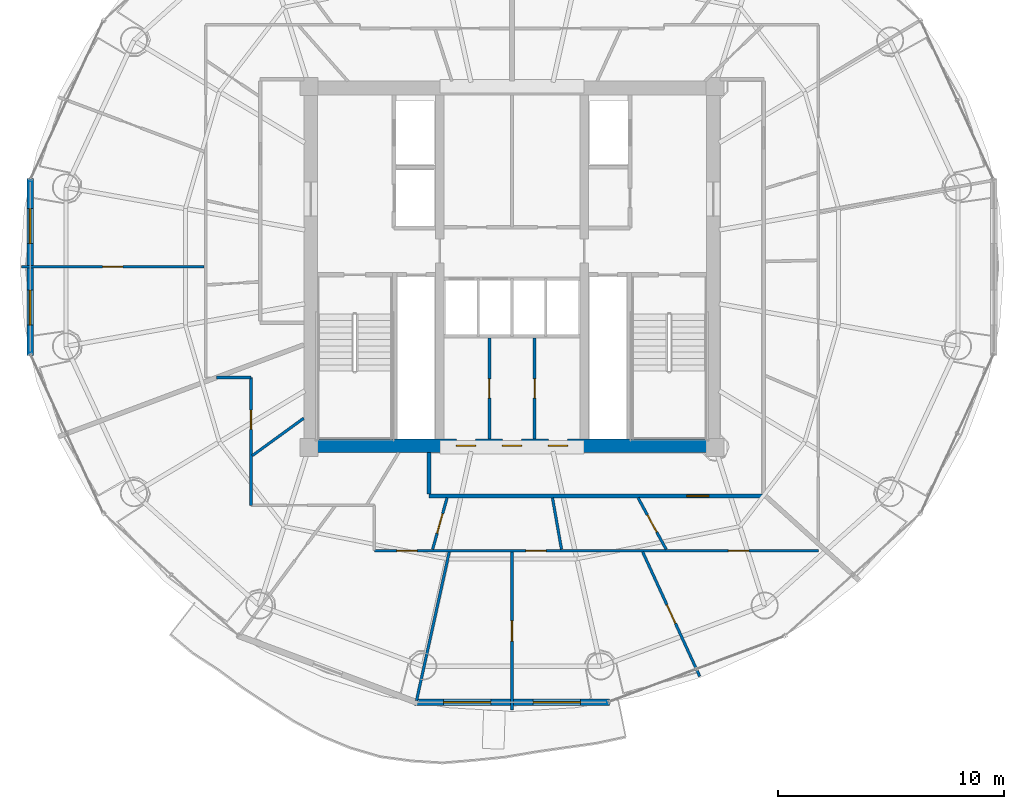
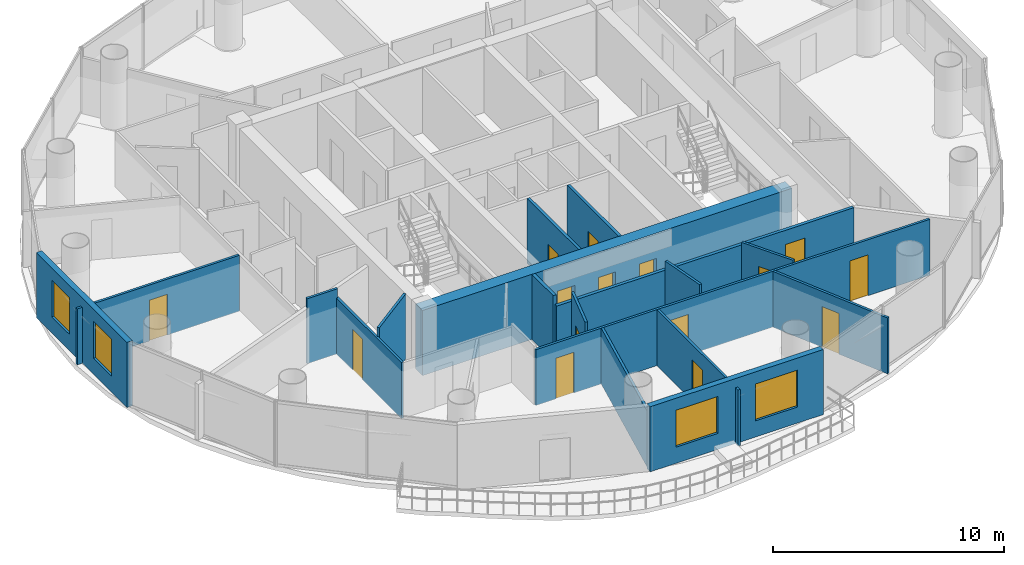
# One storey, part 20 of 26: 18 walls, 15 doors, 4 windows, 19 openings.
"""IFC4 building model written with IfcOpenShell, lengths in metres."""

from ifc_helpers import new_model, si_unit, direction, frame, frame_2d, origin, place, context, subcontext, project, spatial, rectangle, extrude, source, transform, mapped, material, layer, layer_set, type_object, element, fill, save


model = new_model("IFC4")

# Units and contexts
model_context = context("Model", 3, precision=1e-05, world=origin(), true_north=direction((-0.2419218956, 0.970295726276)))
body_context = subcontext(model_context, "Body", "Model", "MODEL_VIEW")
ifc_project = project(units=[si_unit("LENGTHUNIT", "METRE"), si_unit("AREAUNIT", "SQUARE_METRE"), si_unit("VOLUMEUNIT", "CUBIC_METRE"), si_unit("PLANEANGLEUNIT", "RADIAN"), si_unit("MASSUNIT", "GRAM", prefix="KILO")], contexts=[model_context])

# Site, building, storey
site_placement = place(None, origin())
site = spatial("IfcSite", under=ifc_project, at=site_placement, CompositionType="ELEMENT")
building_placement = place(site_placement, origin())
building = spatial("IfcBuilding", under=site, at=building_placement, Name="Cobrevalo Terracotta Tower", CompositionType="ELEMENT")
storey_placement = place(building_placement, frame((0.0, 0.0, 206.0)))
storey = spatial("IfcBuildingStorey", under=building, at=storey_placement, Name="L54", CompositionType="ELEMENT", Elevation=206.0)

# Wall, openings, doors
ifc_material_1 = material(Name="Concrete C55", Category="concrete")
ifc_layer_1 = layer(ifc_material_1, 0.60009765625)
ifc_layer_set_1 = layer_set([ifc_layer_1], Name="Concrete C55")
wall_type_1 = type_object("IfcWallType", Name="Core shear wall 600 mm Concrete C55", PredefinedType="SHEAR", material=ifc_layer_set_1)
wall_1_placement = place(storey_placement, frame((28.77490234375, 18.875, 0.0), z_axis=(0.0, 0.0, 1.0), x_axis=(1.0, 0.0, 0.0)))
wall_1 = element("IfcWall", 1, at=wall_1_placement, inside=storey, type_object=wall_type_1, Name="L54 south core shear wall", PredefinedType="SHEAR", context=body_context, shape_type="SweptSolid", body=[
    extrude(rectangle(XDim=18.4501953125, YDim=0.60009765625, at=frame_2d((9.22509765625, 0.0))), origin(), (0.0, 0.0, 1.0), 3.43505859375),
])
opening_1_placement = place(wall_1_placement, frame((6.760009765625, 0.0, 0.0)))
opening_1 = element("IfcOpeningElement", 2, at=opening_1_placement, cuts=wall_1, Name="Opening ID-22", PredefinedType="OPENING", context=body_context, shape_type="SweptSolid", body=[
    extrude(rectangle(XDim=0.85009765625, YDim=2.10009765625, at=frame_2d((0.425048828125, 1.050048828125))), frame((0.0, 0.31005859375, 0.0), z_axis=(0.0, -1.0, 0.0), x_axis=(1.0, 0.0, 0.0)), (0.0, 0.0, 1.0), 0.6201171875),
])
opening_2_placement = place(wall_1_placement, frame((8.800048828125, 0.0, 0.0)))
opening_2 = element("IfcOpeningElement", 3, at=opening_2_placement, cuts=wall_1, Name="Opening ID-22", PredefinedType="OPENING", context=body_context, shape_type="SweptSolid", body=[
    extrude(rectangle(XDim=0.85009765625, YDim=2.10009765625, at=frame_2d((0.425048828125, 1.050048828125))), frame((0.0, 0.31005859375, 0.0), z_axis=(0.0, -1.0, 0.0), x_axis=(1.0, 0.0, 0.0)), (0.0, 0.0, 1.0), 0.6201171875),
])
opening_3_placement = place(wall_1_placement, frame((10.840087890625, 0.0, 0.0)))
opening_3 = element("IfcOpeningElement", 4, at=opening_3_placement, cuts=wall_1, Name="Opening ID-22", PredefinedType="OPENING", context=body_context, shape_type="SweptSolid", body=[
    extrude(rectangle(XDim=0.85009765625, YDim=2.10009765625, at=frame_2d((0.425048828125, 1.050048828125))), frame((0.0, 0.31005859375, 0.0), z_axis=(0.0, -1.0, 0.0), x_axis=(1.0, 0.0, 0.0)), (0.0, 0.0, 1.0), 0.6201171875),
])
ifc_material_2 = material(Name="Powder-coated steel", Category="steel")
door_type_1 = type_object("IfcDoorType", Name="Riser shaft & meter closet fire access door 850x2100 EI 60", OperationType="NOTDEFINED", PredefinedType="DOOR", material=ifc_material_2)
shared_shape_1 = source(origin(), body_context, "Body", "SweptSolid", [
    extrude(rectangle(XDim=0.85009765625, YDim=2.10009765625, at=frame_2d((0.425048828125, 1.050048828125))), frame((0.0, 0.02490234375, 0.0), z_axis=(0.0, -1.0, 0.0), x_axis=(1.0, 0.0, 0.0)), (0.0, 0.0, 1.0), 0.050048828125),
])
door_1_placement = place(opening_1_placement, origin())
door_1 = element("IfcDoor", 5, at=door_1_placement, inside=storey, type_object=door_type_1, Name="L54 core south plant door HVAC Supply Air Plant", OperationType="SINGLE_SWING_RIGHT", OverallHeight=2.10009765625, OverallWidth=0.85009765625, PredefinedType="DOOR", context=body_context, shape_type="MappedRepresentation", body=[
    mapped(shared_shape_1, transform((0.0, 0.0, 0.0), scale=1.0)),
])
fill(opening_1, door_1)
door_2_placement = place(opening_2_placement, origin())
door_2 = element("IfcDoor", 6, at=door_2_placement, inside=storey, type_object=door_type_1, Name="L54 core south plant door Refuse Chute Store Room", OperationType="SINGLE_SWING_RIGHT", OverallHeight=2.10009765625, OverallWidth=0.85009765625, PredefinedType="DOOR", context=body_context, shape_type="MappedRepresentation", body=[
    mapped(shared_shape_1, transform((0.0, 0.0, 0.0), scale=1.0)),
])
fill(opening_2, door_2)
door_3_placement = place(opening_3_placement, origin())
door_3 = element("IfcDoor", 7, at=door_3_placement, inside=storey, type_object=door_type_1, Name="L54 core south plant door Hydronic Pump Manifold Plant", OperationType="SINGLE_SWING_RIGHT", OverallHeight=2.10009765625, OverallWidth=0.85009765625, PredefinedType="DOOR", context=body_context, shape_type="MappedRepresentation", body=[
    mapped(shared_shape_1, transform((0.0, 0.0, 0.0), scale=1.0)),
])
fill(opening_3, door_3)

# Wall, opening, door
ifc_material_3 = material(Name="Gypsum board on steel stud", Category="steel")
ifc_layer_2 = layer(ifc_material_3, 0.159912109375)
ifc_layer_set_2 = layer_set([ifc_layer_2], Name="Gypsum board on steel stud")
wall_type_2 = type_object("IfcWallType", Name="Fire-rated corridor acoustic partition wall 160 mm", PredefinedType="PARTITIONING", material=ifc_layer_set_2)
wall_2_placement = place(storey_placement, frame((34.320068359375, 16.64501953125, 0.0), z_axis=(0.0, 0.0, 1.0), x_axis=(1.0, 0.0, 0.0)))
wall_2 = element("IfcWall", 8, at=wall_2_placement, inside=storey, type_object=wall_type_2, Name="L54 interior partition IW-L54-COR-S", PredefinedType="PARTITIONING", context=body_context, shape_type="SweptSolid", body=[
    extrude(rectangle(XDim=14.8349609375, YDim=0.159912109375, at=frame_2d((7.41748046875, 0.0))), origin(), (0.0, 0.0, 1.0), 2.950927734375),
])
opening_4_placement = place(wall_2_placement, frame((11.426025390625, 0.0, 0.0)))
opening_4 = element("IfcOpeningElement", 9, at=opening_4_placement, cuts=wall_2, Name="Opening ID-05", PredefinedType="OPENING", context=body_context, shape_type="SweptSolid", body=[
    extrude(rectangle(XDim=0.97998046875, YDim=2.199951171875, at=frame_2d((0.489990234375, 1.10009765625))), frame((0.0, 0.08984375, 0.0), z_axis=(0.0, -1.0, 0.0), x_axis=(1.0, 0.0, 0.0)), (0.0, 0.0, 1.0), 0.179931640625),
])
ifc_material_4 = material(Name="Solid hardwood timber", Category="wood")
door_type_2 = type_object("IfcDoorType", Name="Residence entrance fire-rated acoustic timber door 980x2200 EI 60", OperationType="NOTDEFINED", PredefinedType="DOOR", material=ifc_material_4)
shared_shape_2 = source(origin(), body_context, "Body", "SweptSolid", [
    extrude(rectangle(XDim=0.97998046875, YDim=2.199951171875, at=frame_2d((0.489990234375, 1.10009765625))), frame((0.0, 0.02490234375, 0.0), z_axis=(0.0, -1.0, 0.0), x_axis=(1.0, 0.0, 0.0)), (0.0, 0.0, 1.0), 0.050048828125),
])
door_4_placement = place(opening_4_placement, frame((0.97998046875, 0.0, 0.0), z_axis=(0.0, 0.0, 1.0), x_axis=(-1.0, 0.0, 0.0)))
door_4 = element("IfcDoor", 10, at=door_4_placement, inside=storey, type_object=door_type_2, Name="Flat L54B fire-rated apartment entrance door", OperationType="SINGLE_SWING_LEFT", OverallHeight=2.199951171875, OverallWidth=0.97998046875, PredefinedType="DOOR", context=body_context, shape_type="MappedRepresentation", body=[
    mapped(shared_shape_2, transform((0.0, 0.0, 0.0), scale=1.0)),
])
fill(opening_4, door_4)

# Wall
wall_3_placement = place(storey_placement, frame((34.320068359375, 16.72509765625, 0.0), z_axis=(0.0, 0.0, 1.0), x_axis=(0.0, 1.0, 0.0)))
element("IfcWall", 11, at=wall_3_placement, inside=storey, type_object=wall_type_2, Name="L54 interior partition IW-L54-COR-SW-CAP", PredefinedType="PARTITIONING", context=body_context, shape_type="SweptSolid", body=[
    extrude(rectangle(XDim=1.849853515625, YDim=0.159912109375, at=frame_2d((0.9248046875, 0.0))), origin(), (0.0, 0.0, 1.0), 3.43505859375),
])

# Wall, openings, windows
ifc_material_5 = material(Name="Autoclaved aerated concrete block", Category="concrete")
ifc_layer_3 = layer(ifc_material_5, 0.280029296875)
ifc_layer_set_3 = layer_set([ifc_layer_3], Name="Autoclaved aerated concrete block")
wall_type_3 = type_object("IfcWallType", Name="Insulated tower spandrel & pier wall 280 mm with terracotta rainscreen", PredefinedType="SOLIDWALL", material=ifc_layer_set_3)
wall_4_placement = place(storey_placement, frame((16.648193359375, 30.717529296875, 0.0), z_axis=(0.0, 0.0, 1.0), x_axis=(0.0, -1.0, 0.0)))
wall_4 = element("IfcWall", 12, at=wall_4_placement, inside=storey, type_object=wall_type_3, Name="L54 terracotta rainscreen pier wall S08", PredefinedType="SOLIDWALL", context=body_context, shape_type="SweptSolid", body=[
    extrude(rectangle(XDim=7.8349609375, YDim=0.280029296875, at=frame_2d((3.91748046875, 0.0))), origin(), (0.0, 0.0, 1.0), 3.43505859375),
])
opening_5_placement = place(wall_4_placement, frame((1.34033203125, 0.0, 0.85009765625)))
opening_5 = element("IfcOpeningElement", 13, at=opening_5_placement, cuts=wall_4, Name="Opening WN-12", PredefinedType="OPENING", context=body_context, shape_type="SweptSolid", body=[
    extrude(rectangle(XDim=1.550048828125, YDim=1.949951171875, at=frame_2d((0.77490234375, 0.97509765625))), frame((0.0, 0.14990234375, 0.0), z_axis=(0.0, -1.0, 0.0), x_axis=(1.0, 0.0, 0.0)), (0.0, 0.0, 1.0), 0.300048828125),
])
opening_6_placement = place(wall_4_placement, frame((4.9443359375, 0.0, 0.85009765625)))
opening_6 = element("IfcOpeningElement", 14, at=opening_6_placement, cuts=wall_4, Name="Opening WN-12", PredefinedType="OPENING", context=body_context, shape_type="SweptSolid", body=[
    extrude(rectangle(XDim=1.550048828125, YDim=1.949951171875, at=frame_2d((0.77490234375, 0.97509765625))), frame((0.0, 0.14990234375, 0.0), z_axis=(0.0, -1.0, 0.0), x_axis=(1.0, 0.0, 0.0)), (0.0, 0.0, 1.0), 0.300048828125),
])
ifc_material_6 = material(Name="Solar-control low-E double glazing", Category="glass")
window_type_1 = type_object("IfcWindowType", Name="Solar-control low-E aluminium window 1550x1950", PartitioningType="SINGLE_PANEL", PredefinedType="WINDOW", material=ifc_material_6)
shared_shape_3 = source(origin(), body_context, "Body", "SweptSolid", [
    extrude(rectangle(XDim=1.550048828125, YDim=1.949951171875, at=frame_2d((0.77490234375, 0.97509765625))), frame((0.0, 0.030029296875, 0.0), z_axis=(0.0, -1.0, 0.0), x_axis=(1.0, 0.0, 0.0)), (0.0, 0.0, 1.0), 0.06005859375),
])
window_1_placement = place(opening_5_placement, origin())
window_1 = element("IfcWindow", 15, at=window_1_placement, inside=storey, type_object=window_type_1, Name="L54 suite window S08A", OverallHeight=1.949951171875, OverallWidth=1.550048828125, PartitioningType="SINGLE_PANEL", PredefinedType="WINDOW", context=body_context, shape_type="MappedRepresentation", body=[
    mapped(shared_shape_3, transform((0.0, 0.0, 0.0), scale=1.0)),
])
fill(opening_5, window_1)
window_2_placement = place(opening_6_placement, origin())
window_2 = element("IfcWindow", 16, at=window_2_placement, inside=storey, type_object=window_type_1, Name="L54 suite window S08B", OverallHeight=1.949951171875, OverallWidth=1.550048828125, PartitioningType="SINGLE_PANEL", PredefinedType="WINDOW", context=body_context, shape_type="MappedRepresentation", body=[
    mapped(shared_shape_3, transform((0.0, 0.0, 0.0), scale=1.0)),
])
fill(opening_6, window_2)

wall_5_placement = place(storey_placement, frame((33.6728515625, 7.508056640625, 0.0), z_axis=(0.0, 0.0, 1.0), x_axis=(1.0, 0.0, 0.0)))
wall_5 = element("IfcWall", 17, at=wall_5_placement, inside=storey, type_object=wall_type_3, Name="L54 terracotta rainscreen pier wall S12", PredefinedType="SOLIDWALL", context=body_context, shape_type="SweptSolid", body=[
    extrude(rectangle(XDim=8.654296875, YDim=0.280029296875, at=frame_2d((4.3271484375, 0.0))), origin(), (0.0, 0.0, 1.0), 3.43505859375),
])
opening_7_placement = place(wall_5_placement, frame((1.28662109375, 0.0, 0.85009765625)))
opening_7 = element("IfcOpeningElement", 18, at=opening_7_placement, cuts=wall_5, Name="Opening WN-10", PredefinedType="OPENING", context=body_context, shape_type="SweptSolid", body=[
    extrude(rectangle(XDim=2.10009765625, YDim=1.949951171875, at=frame_2d((1.050048828125, 0.97509765625))), frame((0.0, 0.14990234375, 0.0), z_axis=(0.0, -1.0, 0.0), x_axis=(1.0, 0.0, 0.0)), (0.0, 0.0, 1.0), 0.300048828125),
])
opening_8_placement = place(wall_5_placement, frame((5.267578125, 0.0, 0.85009765625)))
opening_8 = element("IfcOpeningElement", 19, at=opening_8_placement, cuts=wall_5, Name="Opening WN-10", PredefinedType="OPENING", context=body_context, shape_type="SweptSolid", body=[
    extrude(rectangle(XDim=2.10009765625, YDim=1.949951171875, at=frame_2d((1.050048828125, 0.97509765625))), frame((0.0, 0.14990234375, 0.0), z_axis=(0.0, -1.0, 0.0), x_axis=(1.0, 0.0, 0.0)), (0.0, 0.0, 1.0), 0.300048828125),
])
window_type_2 = type_object("IfcWindowType", Name="Wide panoramic low-E aluminium window 2100x1950", PartitioningType="SINGLE_PANEL", PredefinedType="WINDOW", material=ifc_material_6)
shared_shape_4 = source(origin(), body_context, "Body", "SweptSolid", [
    extrude(rectangle(XDim=2.10009765625, YDim=1.949951171875, at=frame_2d((1.050048828125, 0.97509765625))), frame((0.0, 0.030029296875, 0.0), z_axis=(0.0, -1.0, 0.0), x_axis=(1.0, 0.0, 0.0)), (0.0, 0.0, 1.0), 0.06005859375),
])
window_3_placement = place(opening_7_placement, origin())
window_3 = element("IfcWindow", 20, at=window_3_placement, inside=storey, type_object=window_type_2, Name="L54 suite window S12A", OverallHeight=1.949951171875, OverallWidth=2.10009765625, PartitioningType="SINGLE_PANEL", PredefinedType="WINDOW", context=body_context, shape_type="MappedRepresentation", body=[
    mapped(shared_shape_4, transform((0.0, 0.0, 0.0), scale=1.0)),
])
fill(opening_7, window_3)
window_4_placement = place(opening_8_placement, origin())
window_4 = element("IfcWindow", 21, at=window_4_placement, inside=storey, type_object=window_type_2, Name="L54 suite window S12B", OverallHeight=1.949951171875, OverallWidth=2.10009765625, PartitioningType="SINGLE_PANEL", PredefinedType="WINDOW", context=body_context, shape_type="MappedRepresentation", body=[
    mapped(shared_shape_4, transform((0.0, 0.0, 0.0), scale=1.0)),
])
fill(opening_8, window_4)

# Wall, opening, door
ifc_layer_4 = layer(ifc_material_5, 0.139892578125)
ifc_layer_set_4 = layer_set([ifc_layer_4], Name="Autoclaved aerated concrete block")
wall_type_4 = type_object("IfcWallType", Name="Moisture-resistant wet-room & core service partition 140 mm", PredefinedType="PARTITIONING", material=ifc_layer_set_4)
wall_6_placement = place(storey_placement, frame((37.0, 19.175048828125, 0.0), z_axis=(0.0, 0.0, 1.0), x_axis=(0.0, 1.0, 0.0)))
wall_6 = element("IfcWall", 22, at=wall_6_placement, inside=storey, type_object=wall_type_4, Name="L54 interior partition IW-L54-KVS-V1", PredefinedType="PARTITIONING", context=body_context, shape_type="SweptSolid", body=[
    extrude(rectangle(XDim=4.46484375, YDim=0.139892578125, at=frame_2d((2.232421875, 0.0))), origin(), (0.0, 0.0, 1.0), 3.43505859375),
])
opening_9_placement = place(wall_6_placement, frame((1.8076171875, 0.0, 0.0)))
opening_9 = element("IfcOpeningElement", 23, at=opening_9_placement, cuts=wall_6, Name="Opening ID-22", PredefinedType="OPENING", context=body_context, shape_type="SweptSolid", body=[
    extrude(rectangle(XDim=0.85009765625, YDim=2.10009765625, at=frame_2d((0.425048828125, 1.050048828125))), frame((0.0, 0.080078125, 0.0), z_axis=(0.0, -1.0, 0.0), x_axis=(1.0, 0.0, 0.0)), (0.0, 0.0, 1.0), 0.159912109375),
])
door_5_placement = place(opening_9_placement, origin())
door_5 = element("IfcDoor", 24, at=door_5_placement, inside=storey, type_object=door_type_1, Name="L54 core KVS-V1 inner door", OperationType="SINGLE_SWING_LEFT", OverallHeight=2.10009765625, OverallWidth=0.85009765625, PredefinedType="DOOR", context=body_context, shape_type="MappedRepresentation", body=[
    mapped(shared_shape_1, transform((0.0, 0.0, 0.0), scale=1.0)),
])
fill(opening_9, door_5)

wall_7_placement = place(storey_placement, frame((39.0, 19.175048828125, 0.0), z_axis=(0.0, 0.0, 1.0), x_axis=(0.0, 1.0, 0.0)))
wall_7 = element("IfcWall", 25, at=wall_7_placement, inside=storey, type_object=wall_type_4, Name="L54 interior partition IW-L54-KVS-V2", PredefinedType="PARTITIONING", context=body_context, shape_type="SweptSolid", body=[
    extrude(rectangle(XDim=4.46484375, YDim=0.139892578125, at=frame_2d((2.232421875, 0.0))), origin(), (0.0, 0.0, 1.0), 3.43505859375),
])
opening_10_placement = place(wall_7_placement, frame((1.8076171875, 0.0, 0.0)))
opening_10 = element("IfcOpeningElement", 26, at=opening_10_placement, cuts=wall_7, Name="Opening ID-22", PredefinedType="OPENING", context=body_context, shape_type="SweptSolid", body=[
    extrude(rectangle(XDim=0.85009765625, YDim=2.10009765625, at=frame_2d((0.425048828125, 1.050048828125))), frame((0.0, 0.080078125, 0.0), z_axis=(0.0, -1.0, 0.0), x_axis=(1.0, 0.0, 0.0)), (0.0, 0.0, 1.0), 0.159912109375),
])
door_6_placement = place(opening_10_placement, origin())
door_6 = element("IfcDoor", 27, at=door_6_placement, inside=storey, type_object=door_type_1, Name="L54 core KVS-V2 inner door", OperationType="SINGLE_SWING_LEFT", OverallHeight=2.10009765625, OverallWidth=0.85009765625, PredefinedType="DOOR", context=body_context, shape_type="MappedRepresentation", body=[
    mapped(shared_shape_1, transform((0.0, 0.0, 0.0), scale=1.0)),
])
fill(opening_10, door_6)

ifc_layer_5 = layer(ifc_material_3, 0.1201171875)
ifc_layer_set_5 = layer_set([ifc_layer_5], Name="Gypsum board on steel stud")
wall_type_5 = type_object("IfcWallType", Name="Residential internal acoustic stud partition 120 mm", PredefinedType="PARTITIONING", material=ifc_layer_set_5)
wall_8_placement = place(storey_placement, frame((24.363037109375, 26.800048828125, 0.0), z_axis=(0.0, 0.0, 1.0), x_axis=(-1.0, 0.0, 0.0)))
wall_8 = element("IfcWall", 28, at=wall_8_placement, inside=storey, type_object=wall_type_5, Name="L54 interior partition IW-L54-U1-ORAD3", PredefinedType="PARTITIONING", context=body_context, shape_type="SweptSolid", body=[
    extrude(rectangle(XDim=8.10302734375, YDim=0.1201171875, at=frame_2d((4.051513671875, 0.0))), origin(), (0.0, 0.0, 1.0), 2.950927734375),
])
opening_11_placement = place(wall_8_placement, frame((3.6015625, 0.0, 0.0)))
opening_11 = element("IfcOpeningElement", 29, at=opening_11_placement, cuts=wall_8, Name="Opening ID-12", PredefinedType="OPENING", context=body_context, shape_type="SweptSolid", body=[
    extrude(rectangle(XDim=0.89990234375, YDim=2.14990234375, at=frame_2d((0.449951171875, 1.074951171875))), frame((0.0, 0.070068359375, 0.0), z_axis=(0.0, -1.0, 0.0), x_axis=(1.0, 0.0, 0.0)), (0.0, 0.0, 1.0), 0.14013671875),
])
ifc_material_7 = material(Name="Engineered timber", Category="wood")
door_type_3 = type_object("IfcDoorType", Name="Internal residence & suite timber door 900x2150", OperationType="NOTDEFINED", PredefinedType="DOOR", material=ifc_material_7)
shared_shape_5 = source(origin(), body_context, "Body", "SweptSolid", [
    extrude(rectangle(XDim=0.89990234375, YDim=2.14990234375, at=frame_2d((0.449951171875, 1.074951171875))), frame((0.0, 0.02490234375, 0.0), z_axis=(0.0, -1.0, 0.0), x_axis=(1.0, 0.0, 0.0)), (0.0, 0.0, 1.0), 0.050048828125),
])
door_7_placement = place(opening_11_placement, origin())
door_7 = element("IfcDoor", 30, at=door_7_placement, inside=storey, type_object=door_type_3, Name="Flat L54A Principal Guest Bedroom internal door", OperationType="SINGLE_SWING_LEFT", OverallHeight=2.14990234375, OverallWidth=0.89990234375, PredefinedType="DOOR", context=body_context, shape_type="MappedRepresentation", body=[
    mapped(shared_shape_5, transform((0.0, 0.0, 0.0), scale=1.0)),
])
fill(opening_11, door_7)

# Wall, openings, doors
wall_9_placement = place(storey_placement, frame((51.574951171875, 14.22509765625, 0.0), z_axis=(0.0, 0.0, 1.0), x_axis=(-1.0, 0.0, 0.0)))
wall_9 = element("IfcWall", 31, at=wall_9_placement, inside=storey, type_object=wall_type_5, Name="L54 interior partition IW-L54-U2-RING1_0", PredefinedType="PARTITIONING", context=body_context, shape_type="SweptSolid", body=[
    extrude(rectangle(XDim=19.675048828125, YDim=0.1201171875, at=frame_2d((9.83740234375, 0.0))), origin(), (0.0, 0.0, 1.0), 2.950927734375),
])
opening_12_placement = place(wall_9_placement, frame((3.0830078125, 0.0, 0.0)))
opening_12 = element("IfcOpeningElement", 32, at=opening_12_placement, cuts=wall_9, Name="Opening ID-12", PredefinedType="OPENING", context=body_context, shape_type="SweptSolid", body=[
    extrude(rectangle(XDim=0.89990234375, YDim=2.14990234375, at=frame_2d((0.449951171875, 1.074951171875))), frame((0.0, 0.070068359375, 0.0), z_axis=(0.0, -1.0, 0.0), x_axis=(1.0, 0.0, 0.0)), (0.0, 0.0, 1.0), 0.14013671875),
])
opening_13_placement = place(wall_9_placement, frame((12.06298828125, 0.0, 0.0)))
opening_13 = element("IfcOpeningElement", 33, at=opening_13_placement, cuts=wall_9, Name="Opening ID-12", PredefinedType="OPENING", context=body_context, shape_type="SweptSolid", body=[
    extrude(rectangle(XDim=0.89990234375, YDim=2.14990234375, at=frame_2d((0.449951171875, 1.074951171875))), frame((0.0, 0.070068359375, 0.0), z_axis=(0.0, -1.0, 0.0), x_axis=(1.0, 0.0, 0.0)), (0.0, 0.0, 1.0), 0.14013671875),
])
opening_14_placement = place(wall_9_placement, frame((17.77734375, 0.0, 0.0)))
opening_14 = element("IfcOpeningElement", 34, at=opening_14_placement, cuts=wall_9, Name="Opening ID-12", PredefinedType="OPENING", context=body_context, shape_type="SweptSolid", body=[
    extrude(rectangle(XDim=0.89990234375, YDim=2.14990234375, at=frame_2d((0.449951171875, 1.074951171875))), frame((0.0, 0.070068359375, 0.0), z_axis=(0.0, -1.0, 0.0), x_axis=(1.0, 0.0, 0.0)), (0.0, 0.0, 1.0), 0.14013671875),
])
door_8_placement = place(opening_12_placement, origin())
door_8 = element("IfcDoor", 35, at=door_8_placement, inside=storey, type_object=door_type_3, Name="Flat L54B Penthouse Family Lounge internal door", OperationType="SINGLE_SWING_LEFT", OverallHeight=2.14990234375, OverallWidth=0.89990234375, PredefinedType="DOOR", context=body_context, shape_type="MappedRepresentation", body=[
    mapped(shared_shape_5, transform((0.0, 0.0, 0.0), scale=1.0)),
])
fill(opening_12, door_8)
door_9_placement = place(opening_13_placement, frame((0.89990234375, 0.0, 0.0), z_axis=(0.0, 0.0, 1.0), x_axis=(-1.0, 0.0, 0.0)))
door_9 = element("IfcDoor", 36, at=door_9_placement, inside=storey, type_object=door_type_3, Name="Flat L54B Kitchen internal door", OperationType="SINGLE_SWING_LEFT", OverallHeight=2.14990234375, OverallWidth=0.89990234375, PredefinedType="DOOR", context=body_context, shape_type="MappedRepresentation", body=[
    mapped(shared_shape_5, transform((0.0, 0.0, 0.0), scale=1.0)),
])
fill(opening_13, door_9)
door_10_placement = place(opening_14_placement, origin())
door_10 = element("IfcDoor", 37, at=door_10_placement, inside=storey, type_object=door_type_3, Name="Flat L54B Master Bedroom internal door", OperationType="SINGLE_SWING_LEFT", OverallHeight=2.14990234375, OverallWidth=0.89990234375, PredefinedType="DOOR", context=body_context, shape_type="MappedRepresentation", body=[
    mapped(shared_shape_5, transform((0.0, 0.0, 0.0), scale=1.0)),
])
fill(opening_14, door_10)

# Wall, opening, door
wall_10_placement = place(storey_placement, frame((26.43505859375, 16.235107421875, 0.0), z_axis=(0.0, 0.0, 1.0), x_axis=(0.0, 1.0, 0.0)))
wall_10 = element("IfcWall", 38, at=wall_10_placement, inside=storey, type_object=wall_type_5, Name="L54 interior partition IW-L54-U2-RING4_0", PredefinedType="PARTITIONING", context=body_context, shape_type="SweptSolid", body=[
    extrude(rectangle(XDim=5.664794921875, YDim=0.1201171875, at=frame_2d((2.83251953125, 0.0))), origin(), (0.0, 0.0, 1.0), 2.950927734375),
])
opening_15_placement = place(wall_10_placement, frame((3.36181640625, 0.0, 0.0)))
opening_15 = element("IfcOpeningElement", 39, at=opening_15_placement, cuts=wall_10, Name="Opening ID-19", PredefinedType="OPENING", context=body_context, shape_type="SweptSolid", body=[
    extrude(rectangle(XDim=0.860107421875, YDim=2.14990234375, at=frame_2d((0.43017578125, 1.074951171875))), frame((0.0, 0.070068359375, 0.0), z_axis=(0.0, -1.0, 0.0), x_axis=(1.0, 0.0, 0.0)), (0.0, 0.0, 1.0), 0.14013671875),
])
ifc_material_8 = material(Name="Moisture-sealed timber", Category="wood")
door_type_4 = type_object("IfcDoorType", Name="Suite bathroom internal timber door 860x2150", OperationType="NOTDEFINED", PredefinedType="DOOR", material=ifc_material_8)
shared_shape_6 = source(origin(), body_context, "Body", "SweptSolid", [
    extrude(rectangle(XDim=0.860107421875, YDim=2.14990234375, at=frame_2d((0.43017578125, 1.074951171875))), frame((0.0, 0.02490234375, 0.0), z_axis=(0.0, -1.0, 0.0), x_axis=(1.0, 0.0, 0.0)), (0.0, 0.0, 1.0), 0.050048828125),
])
door_11_placement = place(opening_15_placement, frame((0.860107421875, 0.0, 0.0), z_axis=(0.0, 0.0, 1.0), x_axis=(-1.0, 0.0, 0.0)))
door_11 = element("IfcDoor", 40, at=door_11_placement, inside=storey, type_object=door_type_4, Name="Flat L54B Guest Bathroom internal door", OperationType="SINGLE_SWING_RIGHT", OverallHeight=2.14990234375, OverallWidth=0.860107421875, PredefinedType="DOOR", context=body_context, shape_type="MappedRepresentation", body=[
    mapped(shared_shape_6, transform((0.0, 0.0, 0.0), scale=1.0)),
])
fill(opening_15, door_11)

# Walls
wall_11_placement = place(storey_placement, frame((26.43505859375, 21.89990234375, 0.0), z_axis=(0.0, 0.0, 1.0), x_axis=(-1.0, 0.0, 0.0)))
element("IfcWall", 41, at=wall_11_placement, inside=storey, type_object=wall_type_5, Name="L54 interior partition IW-L54-U2-RING5_0", PredefinedType="PARTITIONING", context=body_context, shape_type="SweptSolid", body=[
    extrude(rectangle(XDim=1.525634765625, YDim=0.1201171875, at=frame_2d((0.7626953125, 0.0))), origin(), (0.0, 0.0, 1.0), 3.43505859375),
])
wall_12_placement = place(storey_placement, frame((35.21875, 14.16455078125, 0.0), z_axis=(0.0, 0.0, 1.0), x_axis=(-0.214959845337, -0.976622887758, 0.0)))
element("IfcWall", 42, at=wall_12_placement, inside=storey, type_object=wall_type_5, Name="L54 interior partition IW-L54-U2-ORAD2M1", PredefinedType="PARTITIONING", context=body_context, shape_type="SweptSolid", body=[
    extrude(rectangle(XDim=6.744140625, YDim=0.1201171875, at=frame_2d((3.3720703125, 0.0))), origin(), (0.0, 0.0, 1.0), 2.950927734375),
])

# Wall, opening, door
wall_13_placement = place(storey_placement, frame((38.0, 14.1630859375, 0.0), z_axis=(0.0, 0.0, 1.0), x_axis=(0.0, -1.0, 0.0)))
wall_13 = element("IfcWall", 43, at=wall_13_placement, inside=storey, type_object=wall_type_5, Name="L54 interior partition IW-L54-U2-ORAD2", PredefinedType="PARTITIONING", context=body_context, shape_type="SweptSolid", body=[
    extrude(rectangle(XDim=7.003173828125, YDim=0.1201171875, at=frame_2d((3.50146484375, 0.0))), origin(), (0.0, 0.0, 1.0), 2.950927734375),
])
opening_16_placement = place(wall_13_placement, frame((3.051513671875, 0.0, 0.0)))
opening_16 = element("IfcOpeningElement", 44, at=opening_16_placement, cuts=wall_13, Name="Opening ID-12", PredefinedType="OPENING", context=body_context, shape_type="SweptSolid", body=[
    extrude(rectangle(XDim=0.89990234375, YDim=2.14990234375, at=frame_2d((0.449951171875, 1.074951171875))), frame((0.0, 0.070068359375, 0.0), z_axis=(0.0, -1.0, 0.0), x_axis=(1.0, 0.0, 0.0)), (0.0, 0.0, 1.0), 0.14013671875),
])
door_12_placement = place(opening_16_placement, frame((0.89990234375, 0.0, 0.0), z_axis=(0.0, 0.0, 1.0), x_axis=(-1.0, 0.0, 0.0)))
door_12 = element("IfcDoor", 45, at=door_12_placement, inside=storey, type_object=door_type_3, Name="Flat L54B Principal Guest Bedroom internal door", OperationType="SINGLE_SWING_RIGHT", OverallHeight=2.14990234375, OverallWidth=0.89990234375, PredefinedType="DOOR", context=body_context, shape_type="MappedRepresentation", body=[
    mapped(shared_shape_5, transform((0.0, 0.0, 0.0), scale=1.0)),
])
fill(opening_16, door_12)

wall_14_placement = place(storey_placement, frame((43.789794921875, 14.168701171875, 0.0), z_axis=(0.0, 0.0, 1.0), x_axis=(0.416687974363, -0.909049576218, 0.0)))
wall_14 = element("IfcWall", 46, at=wall_14_placement, inside=storey, type_object=wall_type_5, Name="L54 interior partition IW-L54-U2-ORAD3", PredefinedType="PARTITIONING", context=body_context, shape_type="SweptSolid", body=[
    extrude(rectangle(XDim=6.0654296875, YDim=0.1201171875, at=frame_2d((3.03271484375, 0.0))), origin(), (0.0, 0.0, 1.0), 2.950927734375),
])
opening_17_placement = place(wall_14_placement, frame((2.58251953125, 0.0, 0.0)))
opening_17 = element("IfcOpeningElement", 47, at=opening_17_placement, cuts=wall_14, Name="Opening ID-12", PredefinedType="OPENING", context=body_context, shape_type="SweptSolid", body=[
    extrude(rectangle(XDim=0.89990234375, YDim=2.14990234375, at=frame_2d((0.449951171875, 1.074951171875))), frame((0.0, 0.070068359375, 0.0), z_axis=(0.0, -1.0, 0.0), x_axis=(1.0, 0.0, 0.0)), (0.0, 0.0, 1.0), 0.14013671875),
])
door_13_placement = place(opening_17_placement, frame((0.89990234375, 0.0, 0.0), z_axis=(0.0, 0.0, 1.0), x_axis=(-1.0, 0.0, 0.0)))
door_13 = element("IfcDoor", 48, at=door_13_placement, inside=storey, type_object=door_type_3, Name="Flat L54B Principal Guest Bedroom internal door", OperationType="SINGLE_SWING_RIGHT", OverallHeight=2.14990234375, OverallWidth=0.89990234375, PredefinedType="DOOR", context=body_context, shape_type="MappedRepresentation", body=[
    mapped(shared_shape_5, transform((0.0, 0.0, 0.0), scale=1.0)),
])
fill(opening_17, door_13)

# Wall
wall_15_placement = place(storey_placement, frame((28.77490234375, 20.094482421875, 0.0), z_axis=(0.0, 0.0, 1.0), x_axis=(-0.808862864425, -0.587997335499, 0.0)))
element("IfcWall", 49, at=wall_15_placement, inside=storey, type_object=wall_type_5, Name="L54 interior partition IW-L54-U2-IRAD1", PredefinedType="PARTITIONING", context=body_context, shape_type="SweptSolid", body=[
    extrude(rectangle(XDim=2.830810546875, YDim=0.1201171875, at=frame_2d((1.41552734375, 0.0))), origin(), (0.0, 0.0, 1.0), 3.43505859375),
])

# Wall, opening, door
wall_16_placement = place(storey_placement, frame((35.12353515625, 16.56494140625, 0.0), z_axis=(0.0, 0.0, 1.0), x_axis=(-0.270566477163, -0.962701293982, 0.0)))
wall_16 = element("IfcWall", 50, at=wall_16_placement, inside=storey, type_object=wall_type_5, Name="L54 interior partition IW-L54-U2-IRAD3", PredefinedType="PARTITIONING", context=body_context, shape_type="SweptSolid", body=[
    extrude(rectangle(XDim=2.36865234375, YDim=0.1201171875, at=frame_2d((1.184326171875, 0.0))), origin(), (0.0, 0.0, 1.0), 3.43505859375),
])
opening_18_placement = place(wall_16_placement, frame((0.734375, 0.0, 0.0)))
opening_18 = element("IfcOpeningElement", 51, at=opening_18_placement, cuts=wall_16, Name="Opening ID-12", PredefinedType="OPENING", context=body_context, shape_type="SweptSolid", body=[
    extrude(rectangle(XDim=0.89990234375, YDim=2.14990234375, at=frame_2d((0.449951171875, 1.074951171875))), frame((0.0, 0.070068359375, 0.0), z_axis=(0.0, -1.0, 0.0), x_axis=(1.0, 0.0, 0.0)), (0.0, 0.0, 1.0), 0.14013671875),
])
door_14_placement = place(opening_18_placement, frame((0.89990234375, 0.0, 0.0), z_axis=(0.0, 0.0, 1.0), x_axis=(-1.0, 0.0, 0.0)))
door_14 = element("IfcDoor", 52, at=door_14_placement, inside=storey, type_object=door_type_3, Name="Flat L54B Home Office Study internal door", OperationType="SINGLE_SWING_RIGHT", OverallHeight=2.14990234375, OverallWidth=0.89990234375, PredefinedType="DOOR", context=body_context, shape_type="MappedRepresentation", body=[
    mapped(shared_shape_5, transform((0.0, 0.0, 0.0), scale=1.0)),
])
fill(opening_18, door_14)

# Wall
wall_17_placement = place(storey_placement, frame((39.7939453125, 16.56494140625, 0.0), z_axis=(0.0, 0.0, 1.0), x_axis=(0.172641422295, -0.984984740647, 0.0)))
element("IfcWall", 53, at=wall_17_placement, inside=storey, type_object=wall_type_5, Name="L54 interior partition IW-L54-U2-IRAD4", PredefinedType="PARTITIONING", context=body_context, shape_type="SweptSolid", body=[
    extrude(rectangle(XDim=2.3134765625, YDim=0.1201171875, at=frame_2d((1.15673828125, 0.0))), origin(), (0.0, 0.0, 1.0), 3.43505859375),
])

# Wall, opening, door
wall_18_placement = place(storey_placement, frame((43.58544921875, 16.56494140625, 0.0), z_axis=(0.0, 0.0, 1.0), x_axis=(0.479068920965, -0.877777288932, 0.0)))
wall_18 = element("IfcWall", 54, at=wall_18_placement, inside=storey, type_object=wall_type_5, Name="L54 interior partition IW-L54-U2-IRAD5", PredefinedType="PARTITIONING", context=body_context, shape_type="SweptSolid", body=[
    extrude(rectangle(XDim=2.603515625, YDim=0.1201171875, at=frame_2d((1.3017578125, 0.0))), origin(), (0.0, 0.0, 1.0), 3.110107421875),
])
opening_19_placement = place(wall_18_placement, frame((0.871826171875, 0.0, 0.0)))
opening_19 = element("IfcOpeningElement", 55, at=opening_19_placement, cuts=wall_18, Name="Opening ID-19", PredefinedType="OPENING", context=body_context, shape_type="SweptSolid", body=[
    extrude(rectangle(XDim=0.860107421875, YDim=2.14990234375, at=frame_2d((0.43017578125, 1.074951171875))), frame((0.0, 0.070068359375, 0.0), z_axis=(0.0, -1.0, 0.0), x_axis=(1.0, 0.0, 0.0)), (0.0, 0.0, 1.0), 0.14013671875),
])
door_15_placement = place(opening_19_placement, frame((0.860107421875, 0.0, 0.0), z_axis=(0.0, 0.0, 1.0), x_axis=(-1.0, 0.0, 0.0)))
door_15 = element("IfcDoor", 56, at=door_15_placement, inside=storey, type_object=door_type_4, Name="Flat L54B Primary Bathroom internal door", OperationType="SINGLE_SWING_RIGHT", OverallHeight=2.14990234375, OverallWidth=0.860107421875, PredefinedType="DOOR", context=body_context, shape_type="MappedRepresentation", body=[
    mapped(shared_shape_6, transform((0.0, 0.0, 0.0), scale=1.0)),
])
fill(opening_19, door_15)

save(model, "model.ifc")
